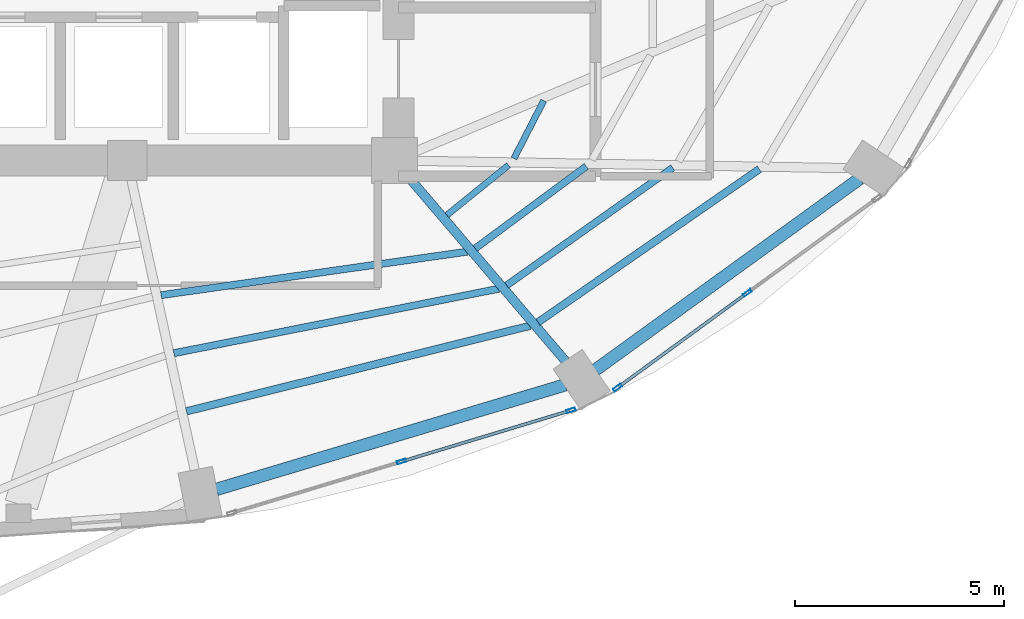
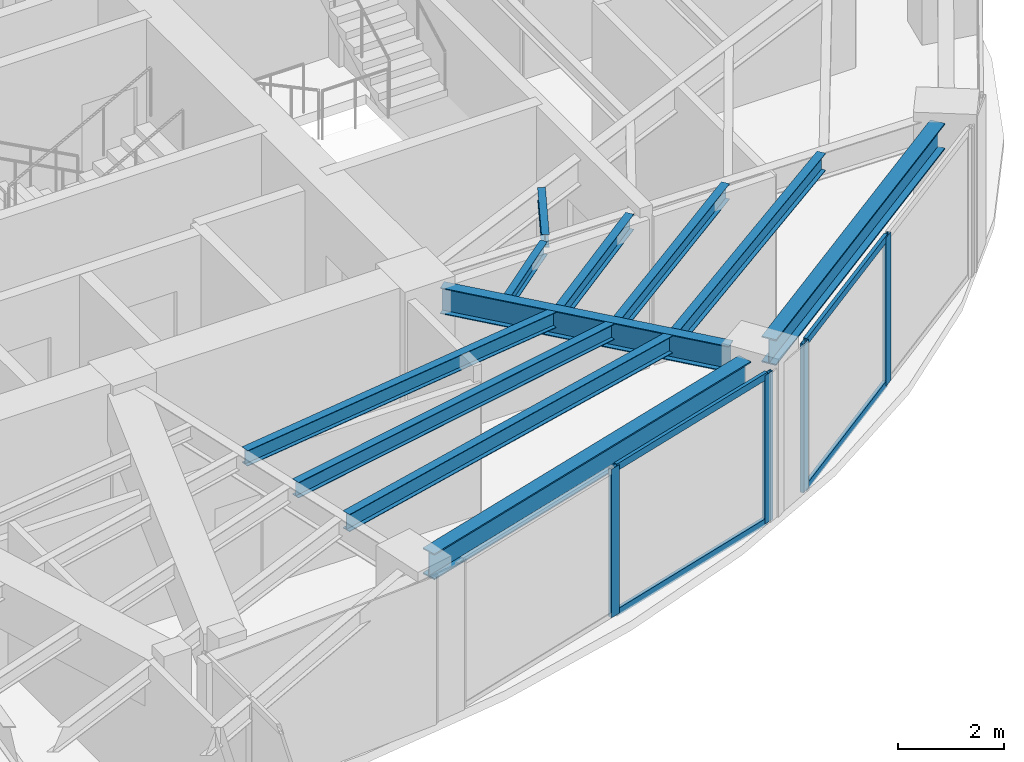
# One storey, part 10 of 24: 11 beams, 8 members, 2 elements without a shape of their own.
"""IFC4 building model written with IfcOpenShell, lengths in metres."""

from ifc_helpers import new_model, si_unit, direction, frame, origin, origin_2d, place, context, subcontext, project, spatial, hollow_rectangle, i_section, extrude, material, layer, layer_set, material_profile, profile_set, type_object, element, aggregate, save


model = new_model("IFC4")

# Units and contexts
model_context = context("Model", 3, precision=1e-05, world=origin(), true_north=direction((0.0, 1.0)))
body_context = subcontext(model_context, "Body", "Model", "MODEL_VIEW")
ifc_project = project(units=[si_unit("LENGTHUNIT", "METRE"), si_unit("AREAUNIT", "SQUARE_METRE"), si_unit("VOLUMEUNIT", "CUBIC_METRE"), si_unit("PLANEANGLEUNIT", "RADIAN"), si_unit("MASSUNIT", "GRAM", prefix="KILO")], contexts=[model_context])

# Site, building, storey
site_placement = place(None, origin())
site = spatial("IfcSite", under=ifc_project, at=site_placement, CompositionType="ELEMENT")
building_placement = place(site_placement, origin())
building = spatial("IfcBuilding", under=site, at=building_placement, Name="Lazwardi Medical Tower", CompositionType="ELEMENT")
storey_placement = place(building_placement, frame((0.0, 0.0, 96.3359375)))
storey = spatial("IfcBuildingStorey", under=building, at=storey_placement, Name="L24", CompositionType="ELEMENT", Elevation=96.3359375)

# Beams
ifc_material_1 = material(Name="Steel S355", Category="steel")
ifc_material_profile_1 = material_profile(ifc_material_1, i_section(OverallWidth=0.300048828125, OverallDepth=0.60009765625, WebThickness=0.015380859375, FlangeThickness=0.030029296875, at=origin_2d()), Name="HEB 600")
ifc_profile_set_1 = profile_set([ifc_material_profile_1], Name="Steel S355")
beam_type_1 = type_object("IfcBeamType", Name="BM-RB-Z2", PredefinedType="BEAM", material=ifc_profile_set_1)
beam_1_placement = place(storey_placement, frame((41.338134765625, 12.5205078125, 3.128173828125), z_axis=(0.957879438442, 0.287170648587, 0.0), x_axis=(-0.287170648587, 0.957879438442, 0.0)))
element("IfcBeam", 1, at=beam_1_placement, inside=storey, type_object=beam_type_1, Name="Ring beam RB-03 B01 L24", PredefinedType="BEAM", context=body_context, shape_type="SweptSolid", body=[
    extrude(i_section(OverallWidth=0.300048828125, OverallDepth=0.60009765625, WebThickness=0.015380859375, FlangeThickness=0.030029296875, at=origin_2d()), origin(), (0.0, 0.0, 1.0), 8.719970703125),
])
beam_2_placement = place(storey_placement, frame((50.415771484375, 15.3828125, 3.128173828125), z_axis=(0.810041907649, 0.586371987609, 0.0), x_axis=(-0.586371987609, 0.810041907649, 0.0)))
element("IfcBeam", 2, at=beam_2_placement, inside=storey, type_object=beam_type_1, Name="Ring beam RB-03 B02 L24", PredefinedType="BEAM", context=body_context, shape_type="SweptSolid", body=[
    extrude(i_section(OverallWidth=0.300048828125, OverallDepth=0.60009765625, WebThickness=0.015380859375, FlangeThickness=0.030029296875, at=origin_2d()), origin(), (0.0, 0.0, 1.0), 7.814208984375),
])
ifc_material_profile_2 = material_profile(ifc_material_1, i_section(OverallWidth=0.219970703125, OverallDepth=0.60009765625, WebThickness=0.011962890625, FlangeThickness=0.01904296875, at=origin_2d()), Name="IPE 600")
ifc_profile_set_2 = profile_set([ifc_material_profile_2], Name="Steel S355")
beam_type_2 = type_object("IfcBeamType", Name="BM-RG-W1", PredefinedType="BEAM", material=ifc_profile_set_2)
beam_3_placement = place(storey_placement, frame((49.707275390625, 15.583740234375, 3.128173828125), z_axis=(-0.648870567436, 0.760898801889, 0.0), x_axis=(-0.760898801889, -0.648870567436, 0.0)))
element("IfcBeam", 3, at=beam_3_placement, inside=storey, type_object=beam_type_2, Name="Radial girder RG-02 R02 L24", PredefinedType="BEAM", context=body_context, shape_type="SweptSolid", body=[
    extrude(i_section(OverallWidth=0.219970703125, OverallDepth=0.60009765625, WebThickness=0.011962890625, FlangeThickness=0.01904296875, at=origin_2d()), origin(), (0.0, 0.0, 1.0), 5.794677734375),
])
ifc_material_profile_3 = material_profile(ifc_material_1, i_section(OverallWidth=0.179931640625, OverallDepth=0.39990234375, WebThickness=0.008544921875, FlangeThickness=0.013427734375, at=origin_2d()), Name="IPE 400")
ifc_profile_set_3 = profile_set([ifc_material_profile_3], Name="Steel S355")
beam_type_3 = type_object("IfcBeamType", Name="BM-SJ-01", PredefinedType="JOIST", material=ifc_profile_set_3)
beam_4_placement = place(storey_placement, frame((40.618896484375, 14.390869140625, 3.22802734375), z_axis=(0.970400881943, 0.241499748081, 0.0), x_axis=(-0.241499748081, 0.970400881943, 0.0)))
element("IfcBeam", 4, at=beam_4_placement, inside=storey, type_object=beam_type_3, Name="Secondary joist SJ-01 R1 B01 L24", PredefinedType="JOIST", context=body_context, shape_type="SweptSolid", body=[
    extrude(i_section(OverallWidth=0.179931640625, OverallDepth=0.39990234375, WebThickness=0.008544921875, FlangeThickness=0.013427734375, at=origin_2d()), origin(), (0.0, 0.0, 1.0), 8.48583984375),
])
beam_5_placement = place(storey_placement, frame((49.04150390625, 16.525390625, 3.22802734375), z_axis=(0.822376339068, 0.568943896128, 0.0), x_axis=(-0.568943896128, 0.822376339068, 0.0)))
element("IfcBeam", 5, at=beam_5_placement, inside=storey, type_object=beam_type_3, Name="Secondary joist SJ-01 R1 B02 L24", PredefinedType="JOIST", context=body_context, shape_type="SweptSolid", body=[
    extrude(i_section(OverallWidth=0.179931640625, OverallDepth=0.39990234375, WebThickness=0.008544921875, FlangeThickness=0.013427734375, at=origin_2d()), origin(), (0.0, 0.0, 1.0), 6.44189453125),
])
ifc_material_profile_4 = material_profile(ifc_material_1, i_section(OverallWidth=0.169921875, OverallDepth=0.360107421875, WebThickness=0.008056640625, FlangeThickness=0.0126953125, at=origin_2d()), Name="IPE 360")
ifc_profile_set_4 = profile_set([ifc_material_profile_4], Name="Steel S355")
beam_type_4 = type_object("IfcBeamType", Name="BM-SJ-02", PredefinedType="JOIST", material=ifc_profile_set_4)
beam_6_placement = place(storey_placement, frame((40.315185546875, 15.7822265625, 3.248046875), z_axis=(0.980878853282, 0.194619308352, 0.0), x_axis=(-0.194619308352, 0.980878853282, 0.0)))
element("IfcBeam", 6, at=beam_6_placement, inside=storey, type_object=beam_type_4, Name="Secondary joist SJ-02 R2 B01 L24", PredefinedType="JOIST", context=body_context, shape_type="SweptSolid", body=[
    extrude(i_section(OverallWidth=0.169921875, OverallDepth=0.360107421875, WebThickness=0.008056640625, FlangeThickness=0.0126953125, at=origin_2d()), origin(), (0.0, 0.0, 1.0), 7.93701171875),
])
beam_7_placement = place(storey_placement, frame((48.2890625, 17.408203125, 3.248046875), z_axis=(0.816156371539, 0.577831097464, 0.0), x_axis=(-0.577831097464, 0.816156371539, 0.0)))
element("IfcBeam", 7, at=beam_7_placement, inside=storey, type_object=beam_type_4, Name="Secondary joist SJ-02 R2 B02 L24", PredefinedType="JOIST", context=body_context, shape_type="SweptSolid", body=[
    extrude(i_section(OverallWidth=0.169921875, OverallDepth=0.360107421875, WebThickness=0.008056640625, FlangeThickness=0.0126953125, at=origin_2d()), origin(), (0.0, 0.0, 1.0), 4.8740234375),
])
beam_8_placement = place(storey_placement, frame((40.011474609375, 17.1728515625, 3.248046875), z_axis=(0.990067108571, 0.140595592128, 0.0), x_axis=(-0.140595592128, 0.990067108571, 0.0)))
element("IfcBeam", 8, at=beam_8_placement, inside=storey, type_object=beam_type_4, Name="Secondary joist SJ-02 R3 B01 L24", PredefinedType="JOIST", context=body_context, shape_type="SweptSolid", body=[
    extrude(i_section(OverallWidth=0.169921875, OverallDepth=0.360107421875, WebThickness=0.008056640625, FlangeThickness=0.0126953125, at=origin_2d()), origin(), (0.0, 0.0, 1.0), 7.409423828125),
])
beam_9_placement = place(storey_placement, frame((47.53564453125, 18.291748046875, 3.248046875), z_axis=(0.804125525058, 0.594459536008, 0.0), x_axis=(-0.594459536008, 0.804125525058, 0.0)))
element("IfcBeam", 9, at=beam_9_placement, inside=storey, type_object=beam_type_4, Name="Secondary joist SJ-02 R3 B02 L24", PredefinedType="JOIST", context=body_context, shape_type="SweptSolid", body=[
    extrude(i_section(OverallWidth=0.169921875, OverallDepth=0.360107421875, WebThickness=0.008056640625, FlangeThickness=0.0126953125, at=origin_2d()), origin(), (0.0, 0.0, 1.0), 3.30810546875),
])
ifc_material_profile_5 = material_profile(ifc_material_1, i_section(OverallWidth=0.14990234375, OverallDepth=0.300048828125, WebThickness=0.007080078125, FlangeThickness=0.0107421875, at=origin_2d()), Name="IPE 300")
ifc_profile_set_5 = profile_set([ifc_material_profile_5], Name="Steel S355")
beam_type_5 = type_object("IfcBeamType", Name="BM-SJ-03", PredefinedType="JOIST", material=ifc_profile_set_5)
beam_10_placement = place(storey_placement, frame((46.85595703125, 19.089111328125, 3.278076171875), z_axis=(0.77695773322, 0.629552762515, 0.0), x_axis=(-0.629552762515, 0.77695773322, 0.0)))
element("IfcBeam", 10, at=beam_10_placement, inside=storey, type_object=beam_type_5, Name="Secondary joist SJ-03 R4 B02 L24", PredefinedType="JOIST", context=body_context, shape_type="SweptSolid", body=[
    extrude(i_section(OverallWidth=0.14990234375, OverallDepth=0.300048828125, WebThickness=0.007080078125, FlangeThickness=0.0107421875, at=origin_2d()), origin(), (0.0, 0.0, 1.0), 1.9013671875),
])
beam_11_placement = place(storey_placement, frame((48.462890625, 20.445556640625, 3.278076171875), z_axis=(0.457956589674, 0.888974556427, 0.0), x_axis=(-0.888974556427, 0.457956589674, 0.0)))
element("IfcBeam", 11, at=beam_11_placement, inside=storey, type_object=beam_type_5, Name="Secondary joist SJ-03 R4 B03 L24", PredefinedType="JOIST", context=body_context, shape_type="SweptSolid", body=[
    extrude(i_section(OverallWidth=0.14990234375, OverallDepth=0.300048828125, WebThickness=0.007080078125, FlangeThickness=0.0107421875, at=origin_2d()), origin(), (0.0, 0.0, 1.0), 1.558837890625),
])

# Curtain wall, members
ifc_material_2 = material(Name="Anodised bronze aluminium and solar control glazing", Category="aluminium")
ifc_layer = layer(ifc_material_2, 0.195068359375)
ifc_layer_set = layer_set([ifc_layer], Name="Anodised bronze aluminium and solar control glazing")
curtain_wall_type = type_object("IfcCurtainWallType", Name="CW-SYS-03", PredefinedType="NOTDEFINED", material=ifc_layer_set)
curtain_wall_1_placement = place(storey_placement, origin())
curtain_wall_1 = element("IfcCurtainWall", 12, at=curtain_wall_1_placement, inside=storey, type_object=curtain_wall_type, Name="L24 Unitised bronze curtain wall CW-03", PredefinedType="NOTDEFINED")
ifc_material_3 = material(Name="Anodised bronze aluminium", Category="aluminium")
ifc_material_profile_6 = material_profile(ifc_material_3, hollow_rectangle(XDim=0.074951171875, YDim=0.219970703125, WallThickness=0.00390625, at=origin_2d()), Name="ALU-MULLION 220x75x4")
ifc_profile_set_6 = profile_set([ifc_material_profile_6], Name="Anodised bronze aluminium")
member_type_1 = type_object("IfcMemberType", Name="CW-MUL-01", PredefinedType="MULLION", material=ifc_profile_set_6)
member_1_placement = place(storey_placement, frame((45.769287109375, 13.18701171875, 0.0), z_axis=(0.0, 0.0, 1.0), x_axis=(-0.28937381157, 0.957216170558, 0.0)))
member_1 = element("IfcMember", 13, at=member_1_placement, type_object=member_type_1, Name="CW-03 mullion 2", PredefinedType="MULLION", context=body_context, shape_type="SweptSolid", body=[
    extrude(hollow_rectangle(XDim=0.074951171875, YDim=0.219970703125, WallThickness=0.00390625, at=origin_2d()), origin(), (0.0, 0.0, 1.0), 3.427978515625),
])
member_2_placement = place(storey_placement, frame((49.828369140625, 14.4140625, 0.0), z_axis=(0.0, 0.0, 1.0), x_axis=(-0.28937381157, 0.957216170558, 0.0)))
member_2 = element("IfcMember", 14, at=member_2_placement, type_object=member_type_1, Name="CW-03 mullion 3", PredefinedType="MULLION", context=body_context, shape_type="SweptSolid", body=[
    extrude(hollow_rectangle(XDim=0.074951171875, YDim=0.219970703125, WallThickness=0.00390625, at=origin_2d()), origin(), (0.0, 0.0, 1.0), 3.427978515625),
])

curtain_wall_2_placement = place(storey_placement, origin())
curtain_wall_2 = element("IfcCurtainWall", 15, at=curtain_wall_2_placement, inside=storey, type_object=curtain_wall_type, Name="L24 Unitised bronze curtain wall CW-03", PredefinedType="NOTDEFINED")
member_3_placement = place(storey_placement, frame((50.947265625, 14.96044921875, 0.0), z_axis=(0.0, 0.0, 1.0), x_axis=(-0.589530882802, 0.807745837639, 0.0)))
member_3 = element("IfcMember", 16, at=member_3_placement, type_object=member_type_1, Name="CW-03 mullion 1", PredefinedType="MULLION", context=body_context, shape_type="SweptSolid", body=[
    extrude(hollow_rectangle(XDim=0.074951171875, YDim=0.219970703125, WallThickness=0.00390625, at=origin_2d()), origin(), (0.0, 0.0, 1.0), 3.427978515625),
])
member_4_placement = place(storey_placement, frame((54.051025390625, 17.225830078125, 0.0), z_axis=(0.0, 0.0, 1.0), x_axis=(-0.589530882802, 0.807745837639, 0.0)))
member_4 = element("IfcMember", 17, at=member_4_placement, type_object=member_type_1, Name="CW-03 mullion 2", PredefinedType="MULLION", context=body_context, shape_type="SweptSolid", body=[
    extrude(hollow_rectangle(XDim=0.074951171875, YDim=0.219970703125, WallThickness=0.00390625, at=origin_2d()), origin(), (0.0, 0.0, 1.0), 3.427978515625),
])

# Member
ifc_material_profile_7 = material_profile(ifc_material_3, hollow_rectangle(XDim=0.074951171875, YDim=0.159912109375, WallThickness=0.00390625, at=origin_2d()), Name="ALU-TRANSOM 160x75x4")
ifc_profile_set_7 = profile_set([ifc_material_profile_7], Name="Anodised bronze aluminium")
member_type_2 = type_object("IfcMemberType", Name="CW-TRN-01", PredefinedType="USERDEFINED", material=ifc_profile_set_7)
member_5_placement = place(storey_placement, frame((45.80517578125, 13.19775390625, 0.03759765625), z_axis=(0.957220865985, 0.289358279168, 0.0), x_axis=(-0.289358279168, 0.957220865985, 0.0)))
member_5 = element("IfcMember", 18, at=member_5_placement, type_object=member_type_2, Name="CW-03 transom 2.1", ObjectType="TRANSOM", PredefinedType="USERDEFINED", context=body_context, shape_type="SweptSolid", body=[
    extrude(hollow_rectangle(XDim=0.074951171875, YDim=0.159912109375, WallThickness=0.00390625, at=origin_2d()), origin(), (0.0, 0.0, 1.0), 4.16552734375),
])

member_6_placement = place(storey_placement, frame((45.80517578125, 13.19775390625, 3.390625), z_axis=(0.957220865985, 0.289358279168, 0.0), x_axis=(-0.289358279168, 0.957220865985, 0.0)))
member_6 = element("IfcMember", 19, at=member_6_placement, type_object=member_type_2, Name="CW-03 transom 2.2", ObjectType="TRANSOM", PredefinedType="USERDEFINED", context=body_context, shape_type="SweptSolid", body=[
    extrude(hollow_rectangle(XDim=0.074951171875, YDim=0.159912109375, WallThickness=0.00390625, at=origin_2d()), origin(), (0.0, 0.0, 1.0), 4.16552734375),
])

aggregate(curtain_wall_1, [member_1, member_2, member_5, member_6])

member_7_placement = place(storey_placement, frame((50.9775390625, 14.982421875, 0.03759765625), z_axis=(0.807731734271, 0.589550206049, 0.0), x_axis=(-0.589550206049, 0.807731734271, 0.0)))
member_7 = element("IfcMember", 20, at=member_7_placement, type_object=member_type_2, Name="CW-03 transom 1.1", ObjectType="TRANSOM", PredefinedType="USERDEFINED", context=body_context, shape_type="SweptSolid", body=[
    extrude(hollow_rectangle(XDim=0.074951171875, YDim=0.159912109375, WallThickness=0.00390625, at=origin_2d()), origin(), (0.0, 0.0, 1.0), 3.767578125),
])

member_8_placement = place(storey_placement, frame((50.9775390625, 14.982421875, 3.390625), z_axis=(0.807731734271, 0.589550206049, 0.0), x_axis=(-0.589550206049, 0.807731734271, 0.0)))
member_8 = element("IfcMember", 21, at=member_8_placement, type_object=member_type_2, Name="CW-03 transom 1.2", ObjectType="TRANSOM", PredefinedType="USERDEFINED", context=body_context, shape_type="SweptSolid", body=[
    extrude(hollow_rectangle(XDim=0.074951171875, YDim=0.159912109375, WallThickness=0.00390625, at=origin_2d()), origin(), (0.0, 0.0, 1.0), 3.767578125),
])

aggregate(curtain_wall_2, [member_3, member_4, member_7, member_8])

save(model, "model.ifc")
